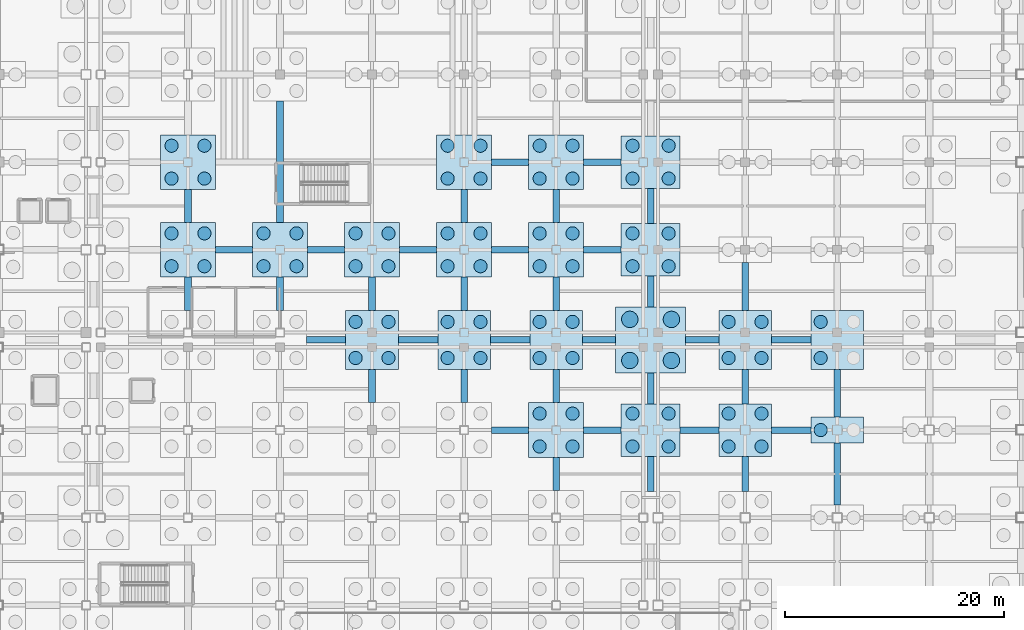
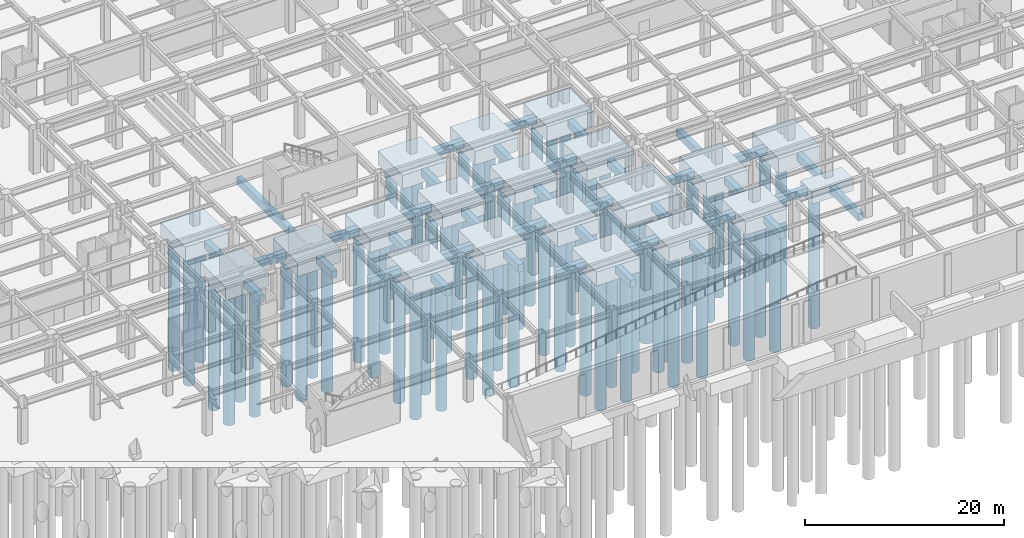
# One storey, part 5 of 55: 75 piles, 59 footings.
"""IFC4 building model written with IfcOpenShell, lengths in metres."""

from ifc_helpers import new_model, si_unit, direction, frame, origin, origin_2d, place, context, subcontext, project, spatial, rectangle, circle, extrude, material, layer, layer_set, material_profile, profile_set, type_object, element, save


model = new_model("IFC4")

# Units and contexts
model_context = context("Model", 3, precision=1e-05, world=origin(), true_north=direction((0.0, 1.0)))
body_context = subcontext(model_context, "Body", "Model", "MODEL_VIEW")
ifc_project = project(units=[si_unit("LENGTHUNIT", "METRE"), si_unit("AREAUNIT", "SQUARE_METRE"), si_unit("VOLUMEUNIT", "CUBIC_METRE"), si_unit("PLANEANGLEUNIT", "RADIAN"), si_unit("MASSUNIT", "GRAM", prefix="KILO")], contexts=[model_context])

# Site, building, storey
site_placement = place(None, origin())
site = spatial("IfcSite", under=ifc_project, at=site_placement, CompositionType="ELEMENT")
building_placement = place(site_placement, origin())
building = spatial("IfcBuilding", under=site, at=building_placement, Name="Kazehara Bluff Congress Hotel", CompositionType="ELEMENT")
storey_placement = place(building_placement, frame((0.0, 0.0, -5.39990234375)))
storey = spatial("IfcBuildingStorey", under=building, at=storey_placement, Name="B1", CompositionType="ELEMENT", Elevation=-5.39990234375)

# Footings
ifc_material_1 = material(Name="Concrete C36/45", Category="concrete")
ifc_material_profile_1 = material_profile(ifc_material_1, rectangle(XDim=0.60009765625, YDim=0.89990234375, at=origin_2d()))
ifc_profile_set_1 = profile_set([ifc_material_profile_1], Name="Concrete C36/45")
footing_type_1 = type_object("IfcFootingType", Name="TP-FB-01", PredefinedType="FOOTING_BEAM", material=ifc_profile_set_1)
footing_1_placement = place(storey_placement, frame((95.35009765625, 32.0, -0.9501953125), z_axis=(1.0, 0.0, 0.0), x_axis=(0.0, 1.0, 0.0)))
element("IfcFooting", 1, at=footing_1_placement, inside=storey, type_object=footing_type_1, Name="Foundation tie beam FB-01 74", PredefinedType="FOOTING_BEAM", context=body_context, shape_type="SweptSolid", body=[
    extrude(rectangle(XDim=0.60009765625, YDim=0.89990234375, at=origin_2d()), origin(), (0.0, 0.0, 1.0), 3.39990234375),
])
footing_2_placement = place(storey_placement, frame((103.75, 32.0, -0.9501953125), z_axis=(1.0, 0.0, 0.0), x_axis=(0.0, 1.0, 0.0)))
element("IfcFooting", 2, at=footing_2_placement, inside=storey, type_object=footing_type_1, Name="Foundation tie beam FB-01 75", PredefinedType="FOOTING_BEAM", context=body_context, shape_type="SweptSolid", body=[
    extrude(rectangle(XDim=0.60009765625, YDim=0.89990234375, at=origin_2d()), origin(), (0.0, 0.0, 1.0), 3.425048828125),
])
footing_3_placement = place(storey_placement, frame((112.574951171875, 32.0, -0.9501953125), z_axis=(1.0, 0.0, 0.0), x_axis=(0.0, 1.0, 0.0)))
element("IfcFooting", 3, at=footing_3_placement, inside=storey, type_object=footing_type_1, Name="Foundation tie beam FB-01 76", PredefinedType="FOOTING_BEAM", context=body_context, shape_type="SweptSolid", body=[
    extrude(rectangle(XDim=0.60009765625, YDim=0.89990234375, at=origin_2d()), origin(), (0.0, 0.0, 1.0), 3.525146484375),
])
for number, where, z_axis, x_axis, name in (
    (4, (120.89990234375, 32.0, -0.9501953125), (1.0, 0.0, 0.0), (0.0, 1.0, 0.0), "Foundation tie beam FB-01 77"),
    (5, (78.449951171875, 40.22509765625, -0.9501953125), (1.0, 0.0, 0.0), (0.0, 1.0, 0.0), "Foundation tie beam FB-01 90"),
):
    element("IfcFooting", number, at=place(storey_placement, frame(where, z_axis=z_axis, x_axis=x_axis)), inside=storey, type_object=footing_type_1, Name=name, PredefinedType="FOOTING_BEAM", context=body_context, shape_type="SweptSolid", body=[
        extrude(rectangle(XDim=0.60009765625, YDim=0.89990234375, at=origin_2d()), origin(), (0.0, 0.0, 1.0), 3.60009765625),
    ])
footing_4_placement = place(storey_placement, frame((86.85009765625, 40.22509765625, -0.9501953125), z_axis=(1.0, 0.0, 0.0), x_axis=(0.0, 1.0, 0.0)))
element("IfcFooting", 6, at=footing_4_placement, inside=storey, type_object=footing_type_1, Name="Foundation tie beam FB-01 91", PredefinedType="FOOTING_BEAM", context=body_context, shape_type="SweptSolid", body=[
    extrude(rectangle(XDim=0.60009765625, YDim=0.89990234375, at=origin_2d()), origin(), (0.0, 0.0, 1.0), 3.599853515625),
])
footing_5_placement = place(storey_placement, frame((95.25, 40.22509765625, -0.9501953125), z_axis=(1.0, 0.0, 0.0), x_axis=(0.0, 1.0, 0.0)))
element("IfcFooting", 7, at=footing_5_placement, inside=storey, type_object=footing_type_1, Name="Foundation tie beam FB-01 92", PredefinedType="FOOTING_BEAM", context=body_context, shape_type="SweptSolid", body=[
    extrude(rectangle(XDim=0.60009765625, YDim=0.89990234375, at=origin_2d()), origin(), (0.0, 0.0, 1.0), 3.60009765625),
])
for number, where, z_axis, x_axis, name in (
    (8, (103.64990234375, 40.22509765625, -0.9501953125), (1.0, 0.0, 0.0), (0.0, 1.0, 0.0), "Foundation tie beam FB-01 93"),
    (9, (113.074951171875, 40.22509765625, -0.9501953125), (1.0, 0.0, 0.0), (0.0, 1.0, 0.0), "Foundation tie beam FB-01 94"),
):
    element("IfcFooting", number, at=place(storey_placement, frame(where, z_axis=z_axis, x_axis=x_axis)), inside=storey, type_object=footing_type_1, Name=name, PredefinedType="FOOTING_BEAM", context=body_context, shape_type="SweptSolid", body=[
        extrude(rectangle(XDim=0.60009765625, YDim=0.89990234375, at=origin_2d()), origin(), (0.0, 0.0, 1.0), 3.025146484375),
    ])
footing_6_placement = place(storey_placement, frame((120.89990234375, 40.22509765625, -0.9501953125), z_axis=(1.0, 0.0, 0.0), x_axis=(0.0, 1.0, 0.0)))
element("IfcFooting", 10, at=footing_6_placement, inside=storey, type_object=footing_type_1, Name="Foundation tie beam FB-01 95", PredefinedType="FOOTING_BEAM", context=body_context, shape_type="SweptSolid", body=[
    extrude(rectangle(XDim=0.60009765625, YDim=0.89990234375, at=origin_2d()), origin(), (0.0, 0.0, 1.0), 3.60009765625),
])
footing_7_placement = place(storey_placement, frame((70.14990234375, 48.449951171875, -0.9501953125), z_axis=(1.0, 0.0, 0.0), x_axis=(0.0, 1.0, 0.0)))
element("IfcFooting", 11, at=footing_7_placement, inside=storey, type_object=footing_type_1, Name="Foundation tie beam FB-01 106", PredefinedType="FOOTING_BEAM", context=body_context, shape_type="SweptSolid", body=[
    extrude(rectangle(XDim=0.60009765625, YDim=0.89990234375, at=origin_2d()), origin(), (0.0, 0.0, 1.0), 3.400146484375),
])
footing_8_placement = place(storey_placement, frame((78.550048828125, 48.449951171875, -0.9501953125), z_axis=(1.0, 0.0, 0.0), x_axis=(0.0, 1.0, 0.0)))
element("IfcFooting", 12, at=footing_8_placement, inside=storey, type_object=footing_type_1, Name="Foundation tie beam FB-01 107", PredefinedType="FOOTING_BEAM", context=body_context, shape_type="SweptSolid", body=[
    extrude(rectangle(XDim=0.60009765625, YDim=0.89990234375, at=origin_2d()), origin(), (0.0, 0.0, 1.0), 3.39990234375),
])
footing_9_placement = place(storey_placement, frame((86.949951171875, 48.449951171875, -0.9501953125), z_axis=(1.0, 0.0, 0.0), x_axis=(0.0, 1.0, 0.0)))
element("IfcFooting", 13, at=footing_9_placement, inside=storey, type_object=footing_type_1, Name="Foundation tie beam FB-01 108", PredefinedType="FOOTING_BEAM", context=body_context, shape_type="SweptSolid", body=[
    extrude(rectangle(XDim=0.60009765625, YDim=0.89990234375, at=origin_2d()), origin(), (0.0, 0.0, 1.0), 3.400146484375),
])
footing_10_placement = place(storey_placement, frame((95.35009765625, 48.449951171875, -0.9501953125), z_axis=(1.0, 0.0, 0.0), x_axis=(0.0, 1.0, 0.0)))
element("IfcFooting", 14, at=footing_10_placement, inside=storey, type_object=footing_type_1, Name="Foundation tie beam FB-01 109", PredefinedType="FOOTING_BEAM", context=body_context, shape_type="SweptSolid", body=[
    extrude(rectangle(XDim=0.60009765625, YDim=0.89990234375, at=origin_2d()), origin(), (0.0, 0.0, 1.0), 3.39990234375),
])
footing_11_placement = place(storey_placement, frame((103.75, 48.449951171875, -0.9501953125), z_axis=(1.0, 0.0, 0.0), x_axis=(0.0, 1.0, 0.0)))
element("IfcFooting", 15, at=footing_11_placement, inside=storey, type_object=footing_type_1, Name="Foundation tie beam FB-01 110", PredefinedType="FOOTING_BEAM", context=body_context, shape_type="SweptSolid", body=[
    extrude(rectangle(XDim=0.60009765625, YDim=0.89990234375, at=origin_2d()), origin(), (0.0, 0.0, 1.0), 3.425048828125),
])
footing_12_placement = place(storey_placement, frame((95.35009765625, 56.449951171875, -0.9501953125), z_axis=(1.0, 0.0, 0.0), x_axis=(0.0, 1.0, 0.0)))
element("IfcFooting", 16, at=footing_12_placement, inside=storey, type_object=footing_type_1, Name="Foundation tie beam FB-01 122", PredefinedType="FOOTING_BEAM", context=body_context, shape_type="SweptSolid", body=[
    extrude(rectangle(XDim=0.60009765625, YDim=0.89990234375, at=origin_2d()), origin(), (0.0, 0.0, 1.0), 3.39990234375),
])
footing_13_placement = place(storey_placement, frame((103.75, 56.449951171875, -0.9501953125), z_axis=(1.0, 0.0, 0.0), x_axis=(0.0, 1.0, 0.0)))
element("IfcFooting", 17, at=footing_13_placement, inside=storey, type_object=footing_type_1, Name="Foundation tie beam FB-01 123", PredefinedType="FOOTING_BEAM", context=body_context, shape_type="SweptSolid", body=[
    extrude(rectangle(XDim=0.60009765625, YDim=0.89990234375, at=origin_2d()), origin(), (0.0, 0.0, 1.0), 3.425048828125),
])
footing_14_placement = place(storey_placement, frame((67.64990234375, 42.925048828125, -0.9501953125), z_axis=(0.0, 1.0, 0.0), x_axis=(-1.0, 0.0, 0.0)))
element("IfcFooting", 18, at=footing_14_placement, inside=storey, type_object=footing_type_1, Name="Foundation tie beam FB-01 342", PredefinedType="FOOTING_BEAM", context=body_context, shape_type="SweptSolid", body=[
    extrude(rectangle(XDim=0.60009765625, YDim=0.89990234375, at=origin_2d()), origin(), (0.0, 0.0, 1.0), 3.02490234375),
])
footing_15_placement = place(storey_placement, frame((67.64990234375, 50.949951171875, -0.9501953125), z_axis=(0.0, 1.0, 0.0), x_axis=(-1.0, 0.0, 0.0)))
element("IfcFooting", 19, at=footing_15_placement, inside=storey, type_object=footing_type_1, Name="Foundation tie beam FB-01 343", PredefinedType="FOOTING_BEAM", context=body_context, shape_type="SweptSolid", body=[
    extrude(rectangle(XDim=0.60009765625, YDim=0.89990234375, at=origin_2d()), origin(), (0.0, 0.0, 1.0), 3.0),
])
footing_16_placement = place(storey_placement, frame((76.050048828125, 42.925048828125, -0.9501953125), z_axis=(0.0, 1.0, 0.0), x_axis=(-1.0, 0.0, 0.0)))
element("IfcFooting", 20, at=footing_16_placement, inside=storey, type_object=footing_type_1, Name="Foundation tie beam FB-01 356", PredefinedType="FOOTING_BEAM", context=body_context, shape_type="SweptSolid", body=[
    extrude(rectangle(XDim=0.60009765625, YDim=0.89990234375, at=origin_2d()), origin(), (0.0, 0.0, 1.0), 3.02490234375),
])
footing_17_placement = place(storey_placement, frame((76.050048828125, 50.949951171875, -0.9501953125), z_axis=(0.0, 1.0, 0.0), x_axis=(-1.0, 0.0, 0.0)))
element("IfcFooting", 21, at=footing_17_placement, inside=storey, type_object=footing_type_1, Name="Foundation tie beam FB-01 357", PredefinedType="FOOTING_BEAM", context=body_context, shape_type="SweptSolid", body=[
    extrude(rectangle(XDim=0.60009765625, YDim=0.89990234375, at=origin_2d()), origin(), (0.0, 0.0, 1.0), 11.10009765625),
])
for number, where, z_axis, x_axis, name in (
    (22, (84.449951171875, 34.5, -0.9501953125), (0.0, 1.0, 0.0), (-1.0, 0.0, 0.0), "Foundation tie beam FB-01 368"),
    (23, (84.449951171875, 42.925048828125, -0.9501953125), (0.0, 1.0, 0.0), (-1.0, 0.0, 0.0), "Foundation tie beam FB-01 369"),
    (24, (92.85009765625, 34.5, -0.9501953125), (0.0, 1.0, 0.0), (-1.0, 0.0, 0.0), "Foundation tie beam FB-01 379"),
    (25, (92.85009765625, 42.925048828125, -0.9501953125), (0.0, 1.0, 0.0), (-1.0, 0.0, 0.0), "Foundation tie beam FB-01 380"),
):
    element("IfcFooting", number, at=place(storey_placement, frame(where, z_axis=z_axis, x_axis=x_axis)), inside=storey, type_object=footing_type_1, Name=name, PredefinedType="FOOTING_BEAM", context=body_context, shape_type="SweptSolid", body=[
        extrude(rectangle(XDim=0.60009765625, YDim=0.89990234375, at=origin_2d()), origin(), (0.0, 0.0, 1.0), 3.02490234375),
    ])
for number, where, z_axis, x_axis, name in (
    (26, (92.85009765625, 50.949951171875, -0.9501953125), (0.0, 1.0, 0.0), (-1.0, 0.0, 0.0), "Foundation tie beam FB-01 381"),
    (27, (101.25, 26.5, -0.9501953125), (0.0, 1.0, 0.0), (-1.0, 0.0, 0.0), "Foundation tie beam FB-01 391"),
):
    element("IfcFooting", number, at=place(storey_placement, frame(where, z_axis=z_axis, x_axis=x_axis)), inside=storey, type_object=footing_type_1, Name=name, PredefinedType="FOOTING_BEAM", context=body_context, shape_type="SweptSolid", body=[
        extrude(rectangle(XDim=0.60009765625, YDim=0.89990234375, at=origin_2d()), origin(), (0.0, 0.0, 1.0), 3.0),
    ])
for number, where, z_axis, x_axis, name in (
    (28, (101.25, 34.5, -0.9501953125), (0.0, 1.0, 0.0), (-1.0, 0.0, 0.0), "Foundation tie beam FB-01 392"),
    (29, (101.25, 42.925048828125, -0.9501953125), (0.0, 1.0, 0.0), (-1.0, 0.0, 0.0), "Foundation tie beam FB-01 393"),
):
    element("IfcFooting", number, at=place(storey_placement, frame(where, z_axis=z_axis, x_axis=x_axis)), inside=storey, type_object=footing_type_1, Name=name, PredefinedType="FOOTING_BEAM", context=body_context, shape_type="SweptSolid", body=[
        extrude(rectangle(XDim=0.60009765625, YDim=0.89990234375, at=origin_2d()), origin(), (0.0, 0.0, 1.0), 3.02490234375),
    ])
footing_18_placement = place(storey_placement, frame((101.25, 50.949951171875, -0.9501953125), z_axis=(0.0, 1.0, 0.0), x_axis=(-1.0, 0.0, 0.0)))
element("IfcFooting", 30, at=footing_18_placement, inside=storey, type_object=footing_type_1, Name="Foundation tie beam FB-01 394", PredefinedType="FOOTING_BEAM", context=body_context, shape_type="SweptSolid", body=[
    extrude(rectangle(XDim=0.60009765625, YDim=0.89990234375, at=origin_2d()), origin(), (0.0, 0.0, 1.0), 3.0),
])
footing_19_placement = place(storey_placement, frame((109.875, 26.39990234375, -0.9501953125), z_axis=(0.0, 1.0, 0.0), x_axis=(-1.0, 0.0, 0.0)))
element("IfcFooting", 31, at=footing_19_placement, inside=storey, type_object=footing_type_1, Name="Foundation tie beam FB-01 405", PredefinedType="FOOTING_BEAM", context=body_context, shape_type="SweptSolid", body=[
    extrude(rectangle(XDim=0.60009765625, YDim=0.89990234375, at=origin_2d()), origin(), (0.0, 0.0, 1.0), 3.2001953125),
])
footing_20_placement = place(storey_placement, frame((109.875, 34.39990234375, -0.9501953125), z_axis=(0.0, 1.0, 0.0), x_axis=(-1.0, 0.0, 0.0)))
element("IfcFooting", 32, at=footing_20_placement, inside=storey, type_object=footing_type_1, Name="Foundation tie beam FB-01 406", PredefinedType="FOOTING_BEAM", context=body_context, shape_type="SweptSolid", body=[
    extrude(rectangle(XDim=0.60009765625, YDim=0.89990234375, at=origin_2d()), origin(), (0.0, 0.0, 1.0), 2.8251953125),
])
footing_21_placement = place(storey_placement, frame((109.875, 43.22509765625, -0.9501953125), z_axis=(0.0, 1.0, 0.0), x_axis=(-1.0, 0.0, 0.0)))
element("IfcFooting", 33, at=footing_21_placement, inside=storey, type_object=footing_type_1, Name="Foundation tie beam FB-01 407", PredefinedType="FOOTING_BEAM", context=body_context, shape_type="SweptSolid", body=[
    extrude(rectangle(XDim=0.60009765625, YDim=0.89990234375, at=origin_2d()), origin(), (0.0, 0.0, 1.0), 2.824951171875),
])
footing_22_placement = place(storey_placement, frame((109.875, 50.85009765625, -0.9501953125), z_axis=(0.0, 1.0, 0.0), x_axis=(-1.0, 0.0, 0.0)))
element("IfcFooting", 34, at=footing_22_placement, inside=storey, type_object=footing_type_1, Name="Foundation tie beam FB-01 408", PredefinedType="FOOTING_BEAM", context=body_context, shape_type="SweptSolid", body=[
    extrude(rectangle(XDim=0.60009765625, YDim=0.89990234375, at=origin_2d()), origin(), (0.0, 0.0, 1.0), 3.199951171875),
])
footing_23_placement = place(storey_placement, frame((118.5, 26.39990234375, -0.9501953125), z_axis=(0.0, 1.0, 0.0), x_axis=(-1.0, 0.0, 0.0)))
element("IfcFooting", 35, at=footing_23_placement, inside=storey, type_object=footing_type_1, Name="Foundation tie beam FB-01 416", PredefinedType="FOOTING_BEAM", context=body_context, shape_type="SweptSolid", body=[
    extrude(rectangle(XDim=0.60009765625, YDim=0.89990234375, at=origin_2d()), origin(), (0.0, 0.0, 1.0), 3.2001953125),
])
footing_24_placement = place(storey_placement, frame((118.5, 34.39990234375, -0.9501953125), z_axis=(0.0, 1.0, 0.0), x_axis=(-1.0, 0.0, 0.0)))
element("IfcFooting", 36, at=footing_24_placement, inside=storey, type_object=footing_type_1, Name="Foundation tie beam FB-01 417", PredefinedType="FOOTING_BEAM", context=body_context, shape_type="SweptSolid", body=[
    extrude(rectangle(XDim=0.60009765625, YDim=0.89990234375, at=origin_2d()), origin(), (0.0, 0.0, 1.0), 3.125),
])
footing_25_placement = place(storey_placement, frame((118.5, 42.925048828125, -0.9501953125), z_axis=(0.0, 1.0, 0.0), x_axis=(-1.0, 0.0, 0.0)))
element("IfcFooting", 37, at=footing_25_placement, inside=storey, type_object=footing_type_1, Name="Foundation tie beam FB-01 418", PredefinedType="FOOTING_BEAM", context=body_context, shape_type="SweptSolid", body=[
    extrude(rectangle(XDim=0.60009765625, YDim=0.89990234375, at=origin_2d()), origin(), (0.0, 0.0, 1.0), 4.349853515625),
])
footing_26_placement = place(storey_placement, frame((126.89990234375, 25.175048828125, -0.9501953125), z_axis=(0.0, 1.0, 0.0), x_axis=(-1.0, 0.0, 0.0)))
element("IfcFooting", 38, at=footing_26_placement, inside=storey, type_object=footing_type_1, Name="Foundation tie beam FB-01 427", PredefinedType="FOOTING_BEAM", context=body_context, shape_type="SweptSolid", body=[
    extrude(rectangle(XDim=0.60009765625, YDim=0.89990234375, at=origin_2d()), origin(), (0.0, 0.0, 1.0), 5.64990234375),
])
footing_27_placement = place(storey_placement, frame((126.89990234375, 33.175048828125, -0.9501953125), z_axis=(0.0, 1.0, 0.0), x_axis=(-1.0, 0.0, 0.0)))
element("IfcFooting", 39, at=footing_27_placement, inside=storey, type_object=footing_type_1, Name="Foundation tie beam FB-01 428", PredefinedType="FOOTING_BEAM", context=body_context, shape_type="SweptSolid", body=[
    extrude(rectangle(XDim=0.60009765625, YDim=0.89990234375, at=origin_2d()), origin(), (0.0, 0.0, 1.0), 4.349853515625),
])
ifc_material_2 = material(Name="Concrete C36/45", Category="concrete")
ifc_layer_1 = layer(ifc_material_2, 1.5)
ifc_layer_set_1 = layer_set([ifc_layer_1], Name="Concrete C36/45")
footing_type_2 = type_object("IfcFootingType", Name="TP-PC-02", PredefinedType="PILE_CAP", material=ifc_layer_set_1)
footing_28_placement = place(storey_placement, frame((126.89990234375, 32.0, -2.0), z_axis=(0.0, 0.0, 1.0), x_axis=(1.0, 0.0, 0.0)))
element("IfcFooting", 40, at=footing_28_placement, inside=storey, type_object=footing_type_2, Name="Pile cap PC-02 213", PredefinedType="PILE_CAP", context=body_context, shape_type="SweptSolid", body=[
    extrude(rectangle(XDim=4.800048828125, YDim=2.35009765625, at=origin_2d()), origin(), (0.0, 0.0, 1.0), 1.5),
])
ifc_material_3 = material(Name="Concrete C36/45", Category="concrete")
ifc_layer_2 = layer(ifc_material_3, 1.60009765625)
ifc_layer_set_2 = layer_set([ifc_layer_2], Name="Concrete C36/45")
footing_type_3 = type_object("IfcFootingType", Name="TP-PC-04", PredefinedType="PILE_CAP", material=ifc_layer_set_2)
footing_29_placement = place(storey_placement, frame((118.5, 32.0, -2.10009765625), z_axis=(0.0, 0.0, 1.0), x_axis=(1.0, 0.0, 0.0)))
element("IfcFooting", 41, at=footing_29_placement, inside=storey, type_object=footing_type_3, Name="Pile cap PC-04 201", PredefinedType="PILE_CAP", context=body_context, shape_type="SweptSolid", body=[
    extrude(rectangle(XDim=4.800048828125, YDim=4.800048828125, at=origin_2d()), origin(), (0.0, 0.0, 1.0), 1.60009765625),
])
ifc_material_4 = material(Name="Concrete C36/45", Category="concrete")
ifc_layer_3 = layer(ifc_material_4, 1.699951171875)
ifc_layer_set_3 = layer_set([ifc_layer_3], Name="Concrete C36/45")
footing_type_4 = type_object("IfcFootingType", Name="TP-PC-05", PredefinedType="PILE_CAP", material=ifc_layer_set_3)
for number, where, z_axis, x_axis, name in (
    (42, (67.64990234375, 48.449951171875, -2.2001953125), (0.0, 0.0, 1.0), (1.0, 0.0, 0.0), "Pile cap PC-05 120"),
    (43, (67.64990234375, 56.449951171875, -2.2001953125), (0.0, 0.0, 1.0), (1.0, 0.0, 0.0), "Pile cap PC-05 121"),
    (44, (76.050048828125, 48.449951171875, -2.2001953125), (0.0, 0.0, 1.0), (1.0, 0.0, 0.0), "Pile cap PC-05 135"),
    (45, (84.449951171875, 48.449951171875, -2.2001953125), (0.0, 0.0, 1.0), (1.0, 0.0, 0.0), "Pile cap PC-05 149"),
    (46, (92.85009765625, 48.449951171875, -2.2001953125), (0.0, 0.0, 1.0), (1.0, 0.0, 0.0), "Pile cap PC-05 162"),
    (47, (92.85009765625, 56.449951171875, -2.2001953125), (0.0, 0.0, 1.0), (1.0, 0.0, 0.0), "Pile cap PC-05 163"),
    (48, (101.25, 32.0, -2.2001953125), (0.0, 0.0, 1.0), (1.0, 0.0, 0.0), "Pile cap PC-05 174"),
    (49, (101.25, 48.449951171875, -2.2001953125), (0.0, 0.0, 1.0), (1.0, 0.0, 0.0), "Pile cap PC-05 176"),
    (50, (101.25, 56.449951171875, -2.2001953125), (0.0, 0.0, 1.0), (1.0, 0.0, 0.0), "Pile cap PC-05 177"),
):
    element("IfcFooting", number, at=place(storey_placement, frame(where, z_axis=z_axis, x_axis=x_axis)), inside=storey, type_object=footing_type_4, Name=name, PredefinedType="PILE_CAP", context=body_context, shape_type="SweptSolid", body=[
        extrude(rectangle(XDim=5.0, YDim=5.0, at=origin_2d()), origin(), (0.0, 0.0, 1.0), 1.699951171875),
    ])
ifc_material_5 = material(Name="Concrete C36/45", Category="concrete")
ifc_layer_4 = layer(ifc_material_5, 1.800048828125)
ifc_layer_set_4 = layer_set([ifc_layer_4], Name="Concrete C36/45")
footing_type_5 = type_object("IfcFootingType", Name="TP-PC-07", PredefinedType="PILE_CAP", material=ifc_layer_set_4)
for number, where, z_axis, x_axis, name in (
    (51, (109.875, 32.0, -2.30029296875), (0.0, 0.0, 1.0), (1.0, 0.0, 0.0), "Pile cap PC-07 189"),
    (52, (109.875, 48.449951171875, -2.30029296875), (0.0, 0.0, 1.0), (1.0, 0.0, 0.0), "Pile cap PC-07 191"),
    (53, (109.875, 56.449951171875, -2.30029296875), (0.0, 0.0, 1.0), (1.0, 0.0, 0.0), "Pile cap PC-07 192"),
):
    element("IfcFooting", number, at=place(storey_placement, frame(where, z_axis=z_axis, x_axis=x_axis)), inside=storey, type_object=footing_type_5, Name=name, PredefinedType="PILE_CAP", context=body_context, shape_type="SweptSolid", body=[
        extrude(rectangle(XDim=5.39990234375, YDim=4.800048828125, at=origin_2d()), origin(), (0.0, 0.0, 1.0), 1.800048828125),
    ])
ifc_material_6 = material(Name="Concrete C36/45", Category="concrete")
ifc_layer_5 = layer(ifc_material_6, 1.800048828125)
ifc_layer_set_5 = layer_set([ifc_layer_5], Name="Concrete C36/45")
footing_type_6 = type_object("IfcFootingType", Name="TP-PC-08", PredefinedType="PILE_CAP", material=ifc_layer_set_5)
for number, where, z_axis, x_axis, name in (
    (54, (84.449951171875, 40.22509765625, -2.30029296875), (0.0, 0.0, 1.0), (1.0, 0.0, 0.0), "Pile cap PC-08 148"),
    (55, (92.85009765625, 40.22509765625, -2.30029296875), (0.0, 0.0, 1.0), (1.0, 0.0, 0.0), "Pile cap PC-08 161"),
    (56, (101.25, 40.22509765625, -2.30029296875), (0.0, 0.0, 1.0), (1.0, 0.0, 0.0), "Pile cap PC-08 175"),
    (57, (118.5, 40.22509765625, -2.30029296875), (0.0, 0.0, 1.0), (1.0, 0.0, 0.0), "Pile cap PC-08 202"),
    (58, (126.89990234375, 40.22509765625, -2.30029296875), (0.0, 0.0, 1.0), (1.0, 0.0, 0.0), "Pile cap PC-08 214"),
):
    element("IfcFooting", number, at=place(storey_placement, frame(where, z_axis=z_axis, x_axis=x_axis)), inside=storey, type_object=footing_type_6, Name=name, PredefinedType="PILE_CAP", context=body_context, shape_type="SweptSolid", body=[
        extrude(rectangle(XDim=4.800048828125, YDim=5.39990234375, at=origin_2d()), origin(), (0.0, 0.0, 1.0), 1.800048828125),
    ])
ifc_material_7 = material(Name="Concrete C36/45", Category="concrete")
ifc_layer_6 = layer(ifc_material_7, 2.10009765625)
ifc_layer_set_6 = layer_set([ifc_layer_6], Name="Concrete C36/45")
footing_type_7 = type_object("IfcFootingType", Name="TP-PC-13", PredefinedType="PILE_CAP", material=ifc_layer_set_6)
footing_30_placement = place(storey_placement, frame((109.875, 40.22509765625, -2.60009765625), z_axis=(0.0, 0.0, 1.0), x_axis=(1.0, 0.0, 0.0)))
element("IfcFooting", 59, at=footing_30_placement, inside=storey, type_object=footing_type_7, Name="Pile cap PC-13 190", PredefinedType="PILE_CAP", context=body_context, shape_type="SweptSolid", body=[
    extrude(rectangle(XDim=6.39990234375, YDim=6.0, at=origin_2d()), origin(), (0.0, 0.0, 1.0), 2.10009765625),
])

# Piles
ifc_material_8 = material(Name="Concrete C36/45", Category="concrete")
ifc_material_profile_2 = material_profile(ifc_material_8, circle(Radius=0.60009765625, at=origin_2d()))
ifc_profile_set_2 = profile_set([ifc_material_profile_2], Name="Concrete C36/45")
pile_type_1 = type_object("IfcPileType", Name="TP-PILE-1200", PredefinedType="BORED", material=ifc_profile_set_2)
for number, where, z_axis, x_axis, name in (
    (60, (66.14990234375, 46.949951171875, -2.10009765625), (0.0, 0.0, -1.0), (1.0, 0.0, 0.0), "Bored pile FND-PC-120-P1"),
    (61, (69.14990234375, 46.949951171875, -2.10009765625), (0.0, 0.0, -1.0), (1.0, 0.0, 0.0), "Bored pile FND-PC-120-P2"),
    (62, (66.14990234375, 49.949951171875, -2.10009765625), (0.0, 0.0, -1.0), (1.0, 0.0, 0.0), "Bored pile FND-PC-120-P3"),
    (63, (69.14990234375, 49.949951171875, -2.10009765625), (0.0, 0.0, -1.0), (1.0, 0.0, 0.0), "Bored pile FND-PC-120-P4"),
    (64, (66.14990234375, 54.949951171875, -2.10009765625), (0.0, 0.0, -1.0), (1.0, 0.0, 0.0), "Bored pile FND-PC-121-P1"),
    (65, (69.14990234375, 54.949951171875, -2.10009765625), (0.0, 0.0, -1.0), (1.0, 0.0, 0.0), "Bored pile FND-PC-121-P2"),
    (66, (66.14990234375, 57.949951171875, -2.10009765625), (0.0, 0.0, -1.0), (1.0, 0.0, 0.0), "Bored pile FND-PC-121-P3"),
    (67, (69.14990234375, 57.949951171875, -2.10009765625), (0.0, 0.0, -1.0), (1.0, 0.0, 0.0), "Bored pile FND-PC-121-P4"),
    (68, (74.550048828125, 46.949951171875, -2.10009765625), (0.0, 0.0, -1.0), (1.0, 0.0, 0.0), "Bored pile FND-PC-135-P1"),
    (69, (77.550048828125, 46.949951171875, -2.10009765625), (0.0, 0.0, -1.0), (1.0, 0.0, 0.0), "Bored pile FND-PC-135-P2"),
    (70, (74.550048828125, 49.949951171875, -2.10009765625), (0.0, 0.0, -1.0), (1.0, 0.0, 0.0), "Bored pile FND-PC-135-P3"),
    (71, (77.550048828125, 49.949951171875, -2.10009765625), (0.0, 0.0, -1.0), (1.0, 0.0, 0.0), "Bored pile FND-PC-135-P4"),
    (72, (82.949951171875, 38.574951171875, -2.2001953125), (0.0, 0.0, -1.0), (1.0, 0.0, 0.0), "Bored pile FND-PC-148-P1"),
    (73, (85.949951171875, 38.574951171875, -2.2001953125), (0.0, 0.0, -1.0), (1.0, 0.0, 0.0), "Bored pile FND-PC-148-P2"),
    (74, (82.949951171875, 41.875, -2.2001953125), (0.0, 0.0, -1.0), (1.0, 0.0, 0.0), "Bored pile FND-PC-148-P3"),
    (75, (85.949951171875, 41.875, -2.2001953125), (0.0, 0.0, -1.0), (1.0, 0.0, 0.0), "Bored pile FND-PC-148-P4"),
    (76, (82.949951171875, 46.949951171875, -2.10009765625), (0.0, 0.0, -1.0), (1.0, 0.0, 0.0), "Bored pile FND-PC-149-P1"),
    (77, (85.949951171875, 46.949951171875, -2.10009765625), (0.0, 0.0, -1.0), (1.0, 0.0, 0.0), "Bored pile FND-PC-149-P2"),
    (78, (82.949951171875, 49.949951171875, -2.10009765625), (0.0, 0.0, -1.0), (1.0, 0.0, 0.0), "Bored pile FND-PC-149-P3"),
    (79, (85.949951171875, 49.949951171875, -2.10009765625), (0.0, 0.0, -1.0), (1.0, 0.0, 0.0), "Bored pile FND-PC-149-P4"),
    (80, (91.35009765625, 38.574951171875, -2.2001953125), (0.0, 0.0, -1.0), (1.0, 0.0, 0.0), "Bored pile FND-PC-161-P1"),
    (81, (94.35009765625, 38.574951171875, -2.2001953125), (0.0, 0.0, -1.0), (1.0, 0.0, 0.0), "Bored pile FND-PC-161-P2"),
    (82, (91.35009765625, 41.875, -2.2001953125), (0.0, 0.0, -1.0), (1.0, 0.0, 0.0), "Bored pile FND-PC-161-P3"),
    (83, (94.35009765625, 41.875, -2.2001953125), (0.0, 0.0, -1.0), (1.0, 0.0, 0.0), "Bored pile FND-PC-161-P4"),
    (84, (91.35009765625, 46.949951171875, -2.10009765625), (0.0, 0.0, -1.0), (1.0, 0.0, 0.0), "Bored pile FND-PC-162-P1"),
    (85, (94.35009765625, 46.949951171875, -2.10009765625), (0.0, 0.0, -1.0), (1.0, 0.0, 0.0), "Bored pile FND-PC-162-P2"),
    (86, (91.35009765625, 49.949951171875, -2.10009765625), (0.0, 0.0, -1.0), (1.0, 0.0, 0.0), "Bored pile FND-PC-162-P3"),
    (87, (94.35009765625, 49.949951171875, -2.10009765625), (0.0, 0.0, -1.0), (1.0, 0.0, 0.0), "Bored pile FND-PC-162-P4"),
    (88, (91.35009765625, 54.949951171875, -2.10009765625), (0.0, 0.0, -1.0), (1.0, 0.0, 0.0), "Bored pile FND-PC-163-P1"),
    (89, (94.35009765625, 54.949951171875, -2.10009765625), (0.0, 0.0, -1.0), (1.0, 0.0, 0.0), "Bored pile FND-PC-163-P2"),
    (90, (91.35009765625, 57.949951171875, -2.10009765625), (0.0, 0.0, -1.0), (1.0, 0.0, 0.0), "Bored pile FND-PC-163-P3"),
    (91, (94.35009765625, 57.949951171875, -2.10009765625), (0.0, 0.0, -1.0), (1.0, 0.0, 0.0), "Bored pile FND-PC-163-P4"),
    (92, (99.75, 30.5, -2.10009765625), (0.0, 0.0, -1.0), (1.0, 0.0, 0.0), "Bored pile FND-PC-174-P1"),
    (93, (102.75, 30.5, -2.10009765625), (0.0, 0.0, -1.0), (1.0, 0.0, 0.0), "Bored pile FND-PC-174-P2"),
    (94, (99.75, 33.5, -2.10009765625), (0.0, 0.0, -1.0), (1.0, 0.0, 0.0), "Bored pile FND-PC-174-P3"),
    (95, (102.75, 33.5, -2.10009765625), (0.0, 0.0, -1.0), (1.0, 0.0, 0.0), "Bored pile FND-PC-174-P4"),
    (96, (99.75, 38.574951171875, -2.2001953125), (0.0, 0.0, -1.0), (1.0, 0.0, 0.0), "Bored pile FND-PC-175-P1"),
    (97, (102.75, 38.574951171875, -2.2001953125), (0.0, 0.0, -1.0), (1.0, 0.0, 0.0), "Bored pile FND-PC-175-P2"),
    (98, (99.75, 41.875, -2.2001953125), (0.0, 0.0, -1.0), (1.0, 0.0, 0.0), "Bored pile FND-PC-175-P3"),
    (99, (102.75, 41.875, -2.2001953125), (0.0, 0.0, -1.0), (1.0, 0.0, 0.0), "Bored pile FND-PC-175-P4"),
    (100, (99.75, 46.949951171875, -2.10009765625), (0.0, 0.0, -1.0), (1.0, 0.0, 0.0), "Bored pile FND-PC-176-P1"),
    (101, (102.75, 46.949951171875, -2.10009765625), (0.0, 0.0, -1.0), (1.0, 0.0, 0.0), "Bored pile FND-PC-176-P2"),
    (102, (99.75, 49.949951171875, -2.10009765625), (0.0, 0.0, -1.0), (1.0, 0.0, 0.0), "Bored pile FND-PC-176-P3"),
    (103, (102.75, 49.949951171875, -2.10009765625), (0.0, 0.0, -1.0), (1.0, 0.0, 0.0), "Bored pile FND-PC-176-P4"),
    (104, (99.75, 54.949951171875, -2.10009765625), (0.0, 0.0, -1.0), (1.0, 0.0, 0.0), "Bored pile FND-PC-177-P1"),
    (105, (102.75, 54.949951171875, -2.10009765625), (0.0, 0.0, -1.0), (1.0, 0.0, 0.0), "Bored pile FND-PC-177-P2"),
    (106, (99.75, 57.949951171875, -2.10009765625), (0.0, 0.0, -1.0), (1.0, 0.0, 0.0), "Bored pile FND-PC-177-P3"),
    (107, (102.75, 57.949951171875, -2.10009765625), (0.0, 0.0, -1.0), (1.0, 0.0, 0.0), "Bored pile FND-PC-177-P4"),
    (108, (108.22509765625, 30.5, -2.2001953125), (0.0, 0.0, -1.0), (1.0, 0.0, 0.0), "Bored pile FND-PC-189-P1"),
    (109, (111.52490234375, 30.5, -2.2001953125), (0.0, 0.0, -1.0), (1.0, 0.0, 0.0), "Bored pile FND-PC-189-P2"),
    (110, (108.22509765625, 33.5, -2.2001953125), (0.0, 0.0, -1.0), (1.0, 0.0, 0.0), "Bored pile FND-PC-189-P3"),
    (111, (111.52490234375, 33.5, -2.2001953125), (0.0, 0.0, -1.0), (1.0, 0.0, 0.0), "Bored pile FND-PC-189-P4"),
    (112, (108.22509765625, 46.949951171875, -2.2001953125), (0.0, 0.0, -1.0), (1.0, 0.0, 0.0), "Bored pile FND-PC-191-P1"),
    (113, (111.52490234375, 46.949951171875, -2.2001953125), (0.0, 0.0, -1.0), (1.0, 0.0, 0.0), "Bored pile FND-PC-191-P2"),
    (114, (108.22509765625, 49.949951171875, -2.2001953125), (0.0, 0.0, -1.0), (1.0, 0.0, 0.0), "Bored pile FND-PC-191-P3"),
    (115, (111.52490234375, 49.949951171875, -2.2001953125), (0.0, 0.0, -1.0), (1.0, 0.0, 0.0), "Bored pile FND-PC-191-P4"),
    (116, (108.22509765625, 54.949951171875, -2.2001953125), (0.0, 0.0, -1.0), (1.0, 0.0, 0.0), "Bored pile FND-PC-192-P1"),
    (117, (111.52490234375, 54.949951171875, -2.2001953125), (0.0, 0.0, -1.0), (1.0, 0.0, 0.0), "Bored pile FND-PC-192-P2"),
    (118, (108.22509765625, 57.949951171875, -2.2001953125), (0.0, 0.0, -1.0), (1.0, 0.0, 0.0), "Bored pile FND-PC-192-P3"),
    (119, (111.52490234375, 57.949951171875, -2.2001953125), (0.0, 0.0, -1.0), (1.0, 0.0, 0.0), "Bored pile FND-PC-192-P4"),
    (120, (117.0, 30.5, -2.0), (0.0, 0.0, -1.0), (1.0, 0.0, 0.0), "Bored pile FND-PC-201-P1"),
    (121, (120.0, 30.5, -2.0), (0.0, 0.0, -1.0), (1.0, 0.0, 0.0), "Bored pile FND-PC-201-P2"),
    (122, (117.0, 33.5, -2.0), (0.0, 0.0, -1.0), (1.0, 0.0, 0.0), "Bored pile FND-PC-201-P3"),
    (123, (120.0, 33.5, -2.0), (0.0, 0.0, -1.0), (1.0, 0.0, 0.0), "Bored pile FND-PC-201-P4"),
    (124, (117.0, 38.574951171875, -2.2001953125), (0.0, 0.0, -1.0), (1.0, 0.0, 0.0), "Bored pile FND-PC-202-P1"),
    (125, (120.0, 38.574951171875, -2.2001953125), (0.0, 0.0, -1.0), (1.0, 0.0, 0.0), "Bored pile FND-PC-202-P2"),
    (126, (117.0, 41.875, -2.2001953125), (0.0, 0.0, -1.0), (1.0, 0.0, 0.0), "Bored pile FND-PC-202-P3"),
    (127, (120.0, 41.875, -2.2001953125), (0.0, 0.0, -1.0), (1.0, 0.0, 0.0), "Bored pile FND-PC-202-P4"),
    (128, (125.39990234375, 32.0, -1.900146484375), (0.0, 0.0, -1.0), (1.0, 0.0, 0.0), "Bored pile FND-PC-213-P1"),
    (129, (125.39990234375, 38.574951171875, -2.2001953125), (0.0, 0.0, -1.0), (1.0, 0.0, 0.0), "Bored pile FND-PC-214-P1"),
    (130, (125.39990234375, 41.875, -2.2001953125), (0.0, 0.0, -1.0), (1.0, 0.0, 0.0), "Bored pile FND-PC-214-P3"),
):
    element("IfcPile", number, at=place(storey_placement, frame(where, z_axis=z_axis, x_axis=x_axis)), inside=storey, type_object=pile_type_1, Name=name, PredefinedType="BORED", context=body_context, shape_type="SweptSolid", body=[
        extrude(circle(Radius=0.60009765625, at=origin_2d()), origin(), (0.0, 0.0, 1.0), 16.0),
    ])
ifc_material_9 = material(Name="Concrete C36/45", Category="concrete")
ifc_material_profile_3 = material_profile(ifc_material_9, circle(Radius=0.75, at=origin_2d()))
ifc_profile_set_3 = profile_set([ifc_material_profile_3], Name="Concrete C36/45")
pile_type_2 = type_object("IfcPileType", Name="TP-PILE-1500", PredefinedType="BORED", material=ifc_profile_set_3)
for number, where, z_axis, x_axis, name in (
    (131, (107.97509765625, 38.35009765625, -2.5), (0.0, 0.0, -1.0), (1.0, 0.0, 0.0), "Bored pile FND-PC-190-P1"),
    (132, (111.77490234375, 38.35009765625, -2.5), (0.0, 0.0, -1.0), (1.0, 0.0, 0.0), "Bored pile FND-PC-190-P2"),
    (133, (107.97509765625, 42.10009765625, -2.5), (0.0, 0.0, -1.0), (1.0, 0.0, 0.0), "Bored pile FND-PC-190-P3"),
    (134, (111.77490234375, 42.10009765625, -2.5), (0.0, 0.0, -1.0), (1.0, 0.0, 0.0), "Bored pile FND-PC-190-P4"),
):
    element("IfcPile", number, at=place(storey_placement, frame(where, z_axis=z_axis, x_axis=x_axis)), inside=storey, type_object=pile_type_2, Name=name, PredefinedType="BORED", context=body_context, shape_type="SweptSolid", body=[
        extrude(circle(Radius=0.75, at=origin_2d()), origin(), (0.0, 0.0, 1.0), 18.5),
    ])

save(model, "model.ifc")
